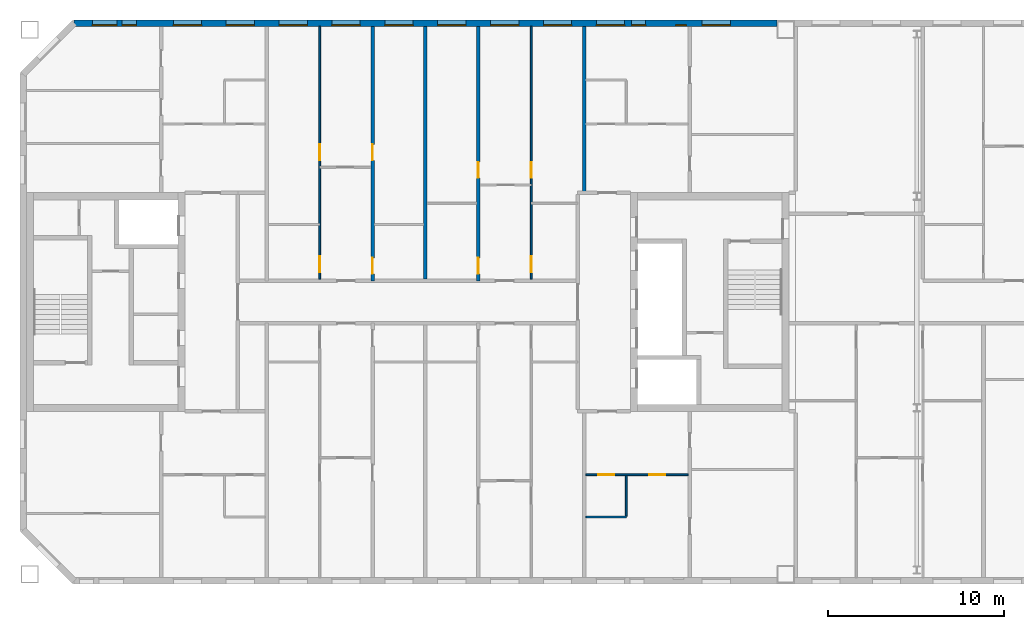
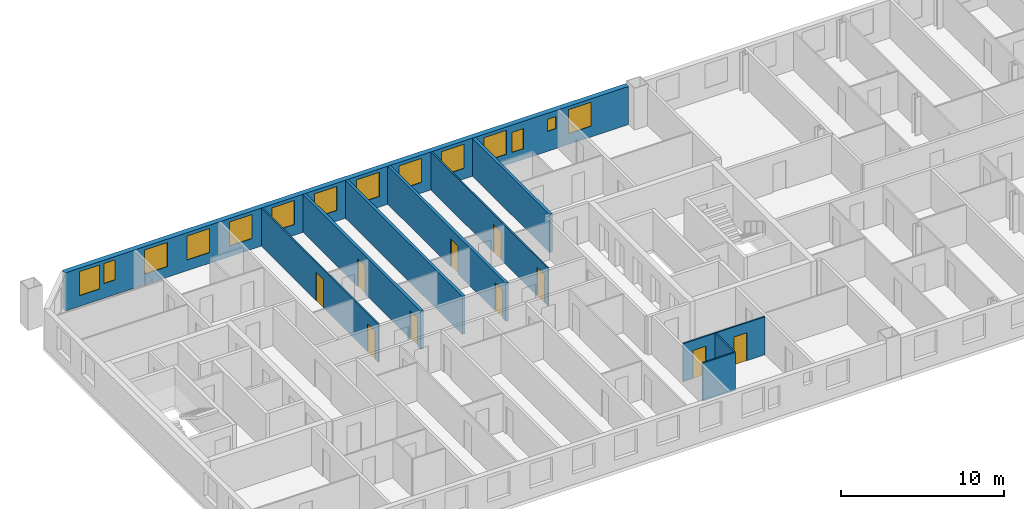
# One storey, part 7 of 19: 14 windows, 10 doors, 10 walls, 24 openings.
"""IFC4 building model written with IfcOpenShell, lengths in metres."""

from ifc_helpers import new_model, si_unit, direction, frame, frame_2d, origin, place, context, subcontext, project, spatial, rectangle, extrude, material, layer, layer_set, type_object, element, fill, save


model = new_model("IFC4")

# Units and contexts
model_context = context("Model", 3, precision=1e-05, world=origin(), true_north=direction((0.0, 1.0)))
body_context = subcontext(model_context, "Body", "Model", "MODEL_VIEW")
ifc_project = project(units=[si_unit("LENGTHUNIT", "METRE"), si_unit("AREAUNIT", "SQUARE_METRE"), si_unit("VOLUMEUNIT", "CUBIC_METRE"), si_unit("PLANEANGLEUNIT", "RADIAN"), si_unit("MASSUNIT", "GRAM", prefix="KILO")], contexts=[model_context])

# Site, building, storey
site_placement = place(None, origin())
site = spatial("IfcSite", under=ifc_project, at=site_placement, CompositionType="ELEMENT")
building_placement = place(site_placement, origin())
building = spatial("IfcBuilding", under=site, at=building_placement, Name="Tuart Gate Housing", CompositionType="ELEMENT")
storey_placement = place(building_placement, frame((0.0, 0.0, 212.10009765625)))
storey = spatial("IfcBuildingStorey", under=building, at=storey_placement, Name="L60", CompositionType="ELEMENT", Elevation=212.10009765625)

# Wall, openings, windows
ifc_material_1 = material(Name="Brick", Category="masonry")
ifc_layer_1 = layer(ifc_material_1, 0.360107421875)
ifc_layer_set_1 = layer_set([ifc_layer_1], Name="Brick pier and spandrel wall 360")
wall_type_1 = type_object("IfcWallType", Name="Brick pier and spandrel wall 360", PredefinedType="STANDARD", material=ifc_layer_set_1)
wall_1_placement = place(storey_placement, frame((74.949951171875, 85.820068359375, 0.0), z_axis=(0.0, 0.0, 1.0), x_axis=(-1.0, 0.0, 0.0)))
wall_1 = element("IfcWall", 1, at=wall_1_placement, inside=storey, type_object=wall_type_1, Name="External wall BLK-N L60", PredefinedType="STANDARD", context=body_context, shape_type="SweptSolid", body=[
    extrude(rectangle(XDim=39.87548828125, YDim=0.360107421875, at=frame_2d((19.937744140625, 0.0))), origin(), (0.0, 0.0, 1.0), 2.849853515625),
])
opening_1_placement = place(wall_1_placement, frame((2.64990234375, 0.0, 0.800048828125)))
opening_1 = element("IfcOpeningElement", 2, at=opening_1_placement, cuts=wall_1, Name="Opening W1", PredefinedType="OPENING", context=body_context, shape_type="SweptSolid", body=[
    extrude(rectangle(XDim=1.60009765625, YDim=1.800048828125, at=frame_2d((0.800048828125, 0.89990234375))), frame((0.0, 0.18994140625, 0.0), z_axis=(0.0, -1.0, 0.0), x_axis=(1.0, 0.0, 0.0)), (0.0, 0.0, 1.0), 0.380126953125),
])
opening_2_placement = place(wall_1_placement, frame((5.14990234375, 0.0, 1.5)))
opening_2 = element("IfcOpeningElement", 3, at=opening_2_placement, cuts=wall_1, Name="Opening W1W", PredefinedType="OPENING", context=body_context, shape_type="SweptSolid", body=[
    extrude(rectangle(XDim=0.60009765625, YDim=0.89990234375, at=frame_2d((0.300048828125, 0.449951171875))), frame((0.0, 0.18994140625, 0.0), z_axis=(0.0, -1.0, 0.0), x_axis=(1.0, 0.0, 0.0)), (0.0, 0.0, 1.0), 0.380126953125),
])
opening_3_placement = place(wall_1_placement, frame((8.64990234375, 0.0, 0.800048828125)))
opening_3 = element("IfcOpeningElement", 4, at=opening_3_placement, cuts=wall_1, Name="Opening W1", PredefinedType="OPENING", context=body_context, shape_type="SweptSolid", body=[
    extrude(rectangle(XDim=1.60009765625, YDim=1.800048828125, at=frame_2d((0.800048828125, 0.89990234375))), frame((0.0, 0.18994140625, 0.0), z_axis=(0.0, -1.0, 0.0), x_axis=(1.0, 0.0, 0.0)), (0.0, 0.0, 1.0), 0.380126953125),
])
opening_4_placement = place(wall_1_placement, frame((11.64990234375, 0.0, 0.800048828125)))
opening_4 = element("IfcOpeningElement", 5, at=opening_4_placement, cuts=wall_1, Name="Opening W1", PredefinedType="OPENING", context=body_context, shape_type="SweptSolid", body=[
    extrude(rectangle(XDim=1.60009765625, YDim=1.800048828125, at=frame_2d((0.800048828125, 0.89990234375))), frame((0.0, 0.18994140625, 0.0), z_axis=(0.0, -1.0, 0.0), x_axis=(1.0, 0.0, 0.0)), (0.0, 0.0, 1.0), 0.380126953125),
])
opening_5_placement = place(wall_1_placement, frame((14.64990234375, 0.0, 0.800048828125)))
opening_5 = element("IfcOpeningElement", 6, at=opening_5_placement, cuts=wall_1, Name="Opening W1", PredefinedType="OPENING", context=body_context, shape_type="SweptSolid", body=[
    extrude(rectangle(XDim=1.60009765625, YDim=1.800048828125, at=frame_2d((0.800048828125, 0.89990234375))), frame((0.0, 0.18994140625, 0.0), z_axis=(0.0, -1.0, 0.0), x_axis=(1.0, 0.0, 0.0)), (0.0, 0.0, 1.0), 0.380126953125),
])
opening_6_placement = place(wall_1_placement, frame((17.64990234375, 0.0, 0.800048828125)))
opening_6 = element("IfcOpeningElement", 7, at=opening_6_placement, cuts=wall_1, Name="Opening W1", PredefinedType="OPENING", context=body_context, shape_type="SweptSolid", body=[
    extrude(rectangle(XDim=1.60009765625, YDim=1.800048828125, at=frame_2d((0.800048828125, 0.89990234375))), frame((0.0, 0.18994140625, 0.0), z_axis=(0.0, -1.0, 0.0), x_axis=(1.0, 0.0, 0.0)), (0.0, 0.0, 1.0), 0.380126953125),
])
opening_7_placement = place(wall_1_placement, frame((20.64990234375, 0.0, 0.800048828125)))
opening_7 = element("IfcOpeningElement", 8, at=opening_7_placement, cuts=wall_1, Name="Opening W1", PredefinedType="OPENING", context=body_context, shape_type="SweptSolid", body=[
    extrude(rectangle(XDim=1.60009765625, YDim=1.800048828125, at=frame_2d((0.800048828125, 0.89990234375))), frame((0.0, 0.18994140625, 0.0), z_axis=(0.0, -1.0, 0.0), x_axis=(1.0, 0.0, 0.0)), (0.0, 0.0, 1.0), 0.380126953125),
])
opening_8_placement = place(wall_1_placement, frame((23.64990234375, 0.0, 0.800048828125)))
opening_8 = element("IfcOpeningElement", 9, at=opening_8_placement, cuts=wall_1, Name="Opening W1", PredefinedType="OPENING", context=body_context, shape_type="SweptSolid", body=[
    extrude(rectangle(XDim=1.60009765625, YDim=1.800048828125, at=frame_2d((0.800048828125, 0.89990234375))), frame((0.0, 0.18994140625, 0.0), z_axis=(0.0, -1.0, 0.0), x_axis=(1.0, 0.0, 0.0)), (0.0, 0.0, 1.0), 0.380126953125),
])
opening_9_placement = place(wall_1_placement, frame((26.64990234375, 0.0, 0.800048828125)))
opening_9 = element("IfcOpeningElement", 10, at=opening_9_placement, cuts=wall_1, Name="Opening W1", PredefinedType="OPENING", context=body_context, shape_type="SweptSolid", body=[
    extrude(rectangle(XDim=1.60009765625, YDim=1.800048828125, at=frame_2d((0.800048828125, 0.89990234375))), frame((0.0, 0.18994140625, 0.0), z_axis=(0.0, -1.0, 0.0), x_axis=(1.0, 0.0, 0.0)), (0.0, 0.0, 1.0), 0.380126953125),
])
opening_10_placement = place(wall_1_placement, frame((29.64990234375, 0.0, 0.800048828125)))
opening_10 = element("IfcOpeningElement", 11, at=opening_10_placement, cuts=wall_1, Name="Opening W1", PredefinedType="OPENING", context=body_context, shape_type="SweptSolid", body=[
    extrude(rectangle(XDim=1.60009765625, YDim=1.800048828125, at=frame_2d((0.800048828125, 0.89990234375))), frame((0.0, 0.18994140625, 0.0), z_axis=(0.0, -1.0, 0.0), x_axis=(1.0, 0.0, 0.0)), (0.0, 0.0, 1.0), 0.380126953125),
])
opening_11_placement = place(wall_1_placement, frame((32.64990234375, 0.0, 0.800048828125)))
opening_11 = element("IfcOpeningElement", 12, at=opening_11_placement, cuts=wall_1, Name="Opening W1", PredefinedType="OPENING", context=body_context, shape_type="SweptSolid", body=[
    extrude(rectangle(XDim=1.60009765625, YDim=1.800048828125, at=frame_2d((0.800048828125, 0.89990234375))), frame((0.0, 0.18994140625, 0.0), z_axis=(0.0, -1.0, 0.0), x_axis=(1.0, 0.0, 0.0)), (0.0, 0.0, 1.0), 0.380126953125),
])
opening_12_placement = place(wall_1_placement, frame((36.35009765625, 0.0, 1.10009765625)))
opening_12 = element("IfcOpeningElement", 13, at=opening_12_placement, cuts=wall_1, Name="Opening W1J", PredefinedType="OPENING", context=body_context, shape_type="SweptSolid", body=[
    extrude(rectangle(XDim=0.800048828125, YDim=1.5, at=frame_2d((0.39990234375, 0.75))), frame((0.0, 0.18994140625, 0.0), z_axis=(0.0, -1.0, 0.0), x_axis=(1.0, 0.0, 0.0)), (0.0, 0.0, 1.0), 0.380126953125),
])
opening_13_placement = place(wall_1_placement, frame((7.449951171875, 0.0, 0.800048828125)))
opening_13 = element("IfcOpeningElement", 14, at=opening_13_placement, cuts=wall_1, Name="Opening W1J", PredefinedType="OPENING", context=body_context, shape_type="SweptSolid", body=[
    extrude(rectangle(XDim=0.800048828125, YDim=1.5, at=frame_2d((0.39990234375, 0.75))), frame((0.0, 0.18994140625, 0.0), z_axis=(0.0, -1.0, 0.0), x_axis=(1.0, 0.0, 0.0)), (0.0, 0.0, 1.0), 0.380126953125),
])
opening_14_placement = place(wall_1_placement, frame((37.449951171875, 0.0, 0.800048828125)))
opening_14 = element("IfcOpeningElement", 15, at=opening_14_placement, cuts=wall_1, Name="Opening W1A", PredefinedType="OPENING", context=body_context, shape_type="SweptSolid", body=[
    extrude(rectangle(XDim=1.39990234375, YDim=1.800048828125, at=frame_2d((0.699951171875, 0.89990234375))), frame((0.0, 0.18994140625, 0.0), z_axis=(0.0, -1.0, 0.0), x_axis=(1.0, 0.0, 0.0)), (0.0, 0.0, 1.0), 0.380126953125),
])
ifc_material_2 = material(Name="Aluminium frame with clear glass", Category="aluminium")
window_type_1 = type_object("IfcWindowType", Name="Punched window 1400 x 1800", PartitioningType="SINGLE_PANEL", PredefinedType="WINDOW", material=ifc_material_2)
window_1_placement = place(opening_14_placement, origin())
window_1 = element("IfcWindow", 16, at=window_1_placement, inside=storey, type_object=window_type_1, Name="Window W1A", OverallHeight=1.800048828125, OverallWidth=1.39990234375, PartitioningType="SINGLE_PANEL", PredefinedType="WINDOW", context=body_context, shape_type="SweptSolid", body=[
    extrude(rectangle(XDim=1.39990234375, YDim=1.800048828125, at=frame_2d((0.699951171875, 0.89990234375))), frame((0.0, 0.150146484375, 0.0), z_axis=(0.0, -1.0, 0.0), x_axis=(1.0, 0.0, 0.0)), (0.0, 0.0, 1.0), 0.06005859375),
])
fill(opening_14, window_1)
ifc_material_3 = material(Name="Aluminium frame with clear glass", Category="aluminium")
window_type_2 = type_object("IfcWindowType", Name="Punched window 1600 x 1800", PartitioningType="SINGLE_PANEL", PredefinedType="WINDOW", material=ifc_material_3)
window_2_placement = place(opening_1_placement, origin())
window_2 = element("IfcWindow", 17, at=window_2_placement, inside=storey, type_object=window_type_2, Name="Window W1", OverallHeight=1.800048828125, OverallWidth=1.60009765625, PartitioningType="SINGLE_PANEL", PredefinedType="WINDOW", context=body_context, shape_type="SweptSolid", body=[
    extrude(rectangle(XDim=1.60009765625, YDim=1.800048828125, at=frame_2d((0.800048828125, 0.89990234375))), frame((0.0, 0.150146484375, 0.0), z_axis=(0.0, -1.0, 0.0), x_axis=(1.0, 0.0, 0.0)), (0.0, 0.0, 1.0), 0.06005859375),
])
fill(opening_1, window_2)
window_3_placement = place(opening_3_placement, origin())
window_3 = element("IfcWindow", 18, at=window_3_placement, inside=storey, type_object=window_type_2, Name="Window W1", OverallHeight=1.800048828125, OverallWidth=1.60009765625, PartitioningType="SINGLE_PANEL", PredefinedType="WINDOW", context=body_context, shape_type="SweptSolid", body=[
    extrude(rectangle(XDim=1.60009765625, YDim=1.800048828125, at=frame_2d((0.800048828125, 0.89990234375))), frame((0.0, 0.150146484375, 0.0), z_axis=(0.0, -1.0, 0.0), x_axis=(1.0, 0.0, 0.0)), (0.0, 0.0, 1.0), 0.06005859375),
])
fill(opening_3, window_3)
window_4_placement = place(opening_4_placement, origin())
window_4 = element("IfcWindow", 19, at=window_4_placement, inside=storey, type_object=window_type_2, Name="Window W1", OverallHeight=1.800048828125, OverallWidth=1.60009765625, PartitioningType="SINGLE_PANEL", PredefinedType="WINDOW", context=body_context, shape_type="SweptSolid", body=[
    extrude(rectangle(XDim=1.60009765625, YDim=1.800048828125, at=frame_2d((0.800048828125, 0.89990234375))), frame((0.0, 0.150146484375, 0.0), z_axis=(0.0, -1.0, 0.0), x_axis=(1.0, 0.0, 0.0)), (0.0, 0.0, 1.0), 0.06005859375),
])
fill(opening_4, window_4)
window_5_placement = place(opening_5_placement, origin())
window_5 = element("IfcWindow", 20, at=window_5_placement, inside=storey, type_object=window_type_2, Name="Window W1", OverallHeight=1.800048828125, OverallWidth=1.60009765625, PartitioningType="SINGLE_PANEL", PredefinedType="WINDOW", context=body_context, shape_type="SweptSolid", body=[
    extrude(rectangle(XDim=1.60009765625, YDim=1.800048828125, at=frame_2d((0.800048828125, 0.89990234375))), frame((0.0, 0.150146484375, 0.0), z_axis=(0.0, -1.0, 0.0), x_axis=(1.0, 0.0, 0.0)), (0.0, 0.0, 1.0), 0.06005859375),
])
fill(opening_5, window_5)
window_6_placement = place(opening_6_placement, origin())
window_6 = element("IfcWindow", 21, at=window_6_placement, inside=storey, type_object=window_type_2, Name="Window W1", OverallHeight=1.800048828125, OverallWidth=1.60009765625, PartitioningType="SINGLE_PANEL", PredefinedType="WINDOW", context=body_context, shape_type="SweptSolid", body=[
    extrude(rectangle(XDim=1.60009765625, YDim=1.800048828125, at=frame_2d((0.800048828125, 0.89990234375))), frame((0.0, 0.150146484375, 0.0), z_axis=(0.0, -1.0, 0.0), x_axis=(1.0, 0.0, 0.0)), (0.0, 0.0, 1.0), 0.06005859375),
])
fill(opening_6, window_6)
window_7_placement = place(opening_7_placement, origin())
window_7 = element("IfcWindow", 22, at=window_7_placement, inside=storey, type_object=window_type_2, Name="Window W1", OverallHeight=1.800048828125, OverallWidth=1.60009765625, PartitioningType="SINGLE_PANEL", PredefinedType="WINDOW", context=body_context, shape_type="SweptSolid", body=[
    extrude(rectangle(XDim=1.60009765625, YDim=1.800048828125, at=frame_2d((0.800048828125, 0.89990234375))), frame((0.0, 0.150146484375, 0.0), z_axis=(0.0, -1.0, 0.0), x_axis=(1.0, 0.0, 0.0)), (0.0, 0.0, 1.0), 0.06005859375),
])
fill(opening_7, window_7)
window_8_placement = place(opening_8_placement, origin())
window_8 = element("IfcWindow", 23, at=window_8_placement, inside=storey, type_object=window_type_2, Name="Window W1", OverallHeight=1.800048828125, OverallWidth=1.60009765625, PartitioningType="SINGLE_PANEL", PredefinedType="WINDOW", context=body_context, shape_type="SweptSolid", body=[
    extrude(rectangle(XDim=1.60009765625, YDim=1.800048828125, at=frame_2d((0.800048828125, 0.89990234375))), frame((0.0, 0.150146484375, 0.0), z_axis=(0.0, -1.0, 0.0), x_axis=(1.0, 0.0, 0.0)), (0.0, 0.0, 1.0), 0.06005859375),
])
fill(opening_8, window_8)
window_9_placement = place(opening_9_placement, origin())
window_9 = element("IfcWindow", 24, at=window_9_placement, inside=storey, type_object=window_type_2, Name="Window W1", OverallHeight=1.800048828125, OverallWidth=1.60009765625, PartitioningType="SINGLE_PANEL", PredefinedType="WINDOW", context=body_context, shape_type="SweptSolid", body=[
    extrude(rectangle(XDim=1.60009765625, YDim=1.800048828125, at=frame_2d((0.800048828125, 0.89990234375))), frame((0.0, 0.150146484375, 0.0), z_axis=(0.0, -1.0, 0.0), x_axis=(1.0, 0.0, 0.0)), (0.0, 0.0, 1.0), 0.06005859375),
])
fill(opening_9, window_9)
window_10_placement = place(opening_10_placement, origin())
window_10 = element("IfcWindow", 25, at=window_10_placement, inside=storey, type_object=window_type_2, Name="Window W1", OverallHeight=1.800048828125, OverallWidth=1.60009765625, PartitioningType="SINGLE_PANEL", PredefinedType="WINDOW", context=body_context, shape_type="SweptSolid", body=[
    extrude(rectangle(XDim=1.60009765625, YDim=1.800048828125, at=frame_2d((0.800048828125, 0.89990234375))), frame((0.0, 0.150146484375, 0.0), z_axis=(0.0, -1.0, 0.0), x_axis=(1.0, 0.0, 0.0)), (0.0, 0.0, 1.0), 0.06005859375),
])
fill(opening_10, window_10)
window_11_placement = place(opening_11_placement, origin())
window_11 = element("IfcWindow", 26, at=window_11_placement, inside=storey, type_object=window_type_2, Name="Window W1", OverallHeight=1.800048828125, OverallWidth=1.60009765625, PartitioningType="SINGLE_PANEL", PredefinedType="WINDOW", context=body_context, shape_type="SweptSolid", body=[
    extrude(rectangle(XDim=1.60009765625, YDim=1.800048828125, at=frame_2d((0.800048828125, 0.89990234375))), frame((0.0, 0.150146484375, 0.0), z_axis=(0.0, -1.0, 0.0), x_axis=(1.0, 0.0, 0.0)), (0.0, 0.0, 1.0), 0.06005859375),
])
fill(opening_11, window_11)
ifc_material_4 = material(Name="Aluminium frame with clear glass", Category="aluminium")
window_type_3 = type_object("IfcWindowType", Name="Punched window 600 x 900", PartitioningType="SINGLE_PANEL", PredefinedType="WINDOW", material=ifc_material_4)
window_12_placement = place(opening_2_placement, origin())
window_12 = element("IfcWindow", 27, at=window_12_placement, inside=storey, type_object=window_type_3, Name="Window W1W", OverallHeight=0.89990234375, OverallWidth=0.60009765625, PartitioningType="SINGLE_PANEL", PredefinedType="WINDOW", context=body_context, shape_type="SweptSolid", body=[
    extrude(rectangle(XDim=0.60009765625, YDim=0.89990234375, at=frame_2d((0.300048828125, 0.449951171875))), frame((0.0, 0.150146484375, 0.0), z_axis=(0.0, -1.0, 0.0), x_axis=(1.0, 0.0, 0.0)), (0.0, 0.0, 1.0), 0.06005859375),
])
fill(opening_2, window_12)
ifc_material_5 = material(Name="Aluminium frame with clear glass", Category="aluminium")
window_type_4 = type_object("IfcWindowType", Name="Punched window 800 x 1500", PartitioningType="SINGLE_PANEL", PredefinedType="WINDOW", material=ifc_material_5)
window_13_placement = place(opening_12_placement, origin())
window_13 = element("IfcWindow", 28, at=window_13_placement, inside=storey, type_object=window_type_4, Name="Window W1J", OverallHeight=1.5, OverallWidth=0.800048828125, PartitioningType="SINGLE_PANEL", PredefinedType="WINDOW", context=body_context, shape_type="SweptSolid", body=[
    extrude(rectangle(XDim=0.800048828125, YDim=1.5, at=frame_2d((0.39990234375, 0.75))), frame((0.0, 0.150146484375, 0.0), z_axis=(0.0, -1.0, 0.0), x_axis=(1.0, 0.0, 0.0)), (0.0, 0.0, 1.0), 0.06005859375),
])
fill(opening_12, window_13)
window_14_placement = place(opening_13_placement, origin())
window_14 = element("IfcWindow", 29, at=window_14_placement, inside=storey, type_object=window_type_4, Name="Window W1J", OverallHeight=1.5, OverallWidth=0.800048828125, PartitioningType="SINGLE_PANEL", PredefinedType="WINDOW", context=body_context, shape_type="SweptSolid", body=[
    extrude(rectangle(XDim=0.800048828125, YDim=1.5, at=frame_2d((0.39990234375, 0.75))), frame((0.0, 0.150146484375, 0.0), z_axis=(0.0, -1.0, 0.0), x_axis=(1.0, 0.0, 0.0)), (0.0, 0.0, 1.0), 0.06005859375),
])
fill(opening_13, window_14)

# Wall
ifc_material_6 = material(Name="Gypsum board on steel studs", Category="steel")
ifc_layer_2 = layer(ifc_material_6, 0.10009765625)
ifc_layer_set_2 = layer_set([ifc_layer_2], Name="Partition 100")
wall_type_2 = type_object("IfcWallType", Name="Partition 100", PredefinedType="PARTITIONING", material=ifc_layer_set_2)
wall_2_placement = place(storey_placement, frame((64.10009765625, 57.800048828125, 0.0), z_axis=(0.0, 0.0, 1.0), x_axis=(1.0, 0.0, 0.0)))
element("IfcWall", 30, at=wall_2_placement, inside=storey, type_object=wall_type_2, Name="Partition 100", PredefinedType="PARTITIONING", context=body_context, shape_type="SweptSolid", body=[
    extrude(rectangle(XDim=2.2998046875, YDim=0.10009765625, at=frame_2d((1.14990234375, 0.0))), origin(), (0.0, 0.0, 1.0), 2.849853515625),
])

# Wall, openings, doors
wall_3_placement = place(storey_placement, frame((64.10009765625, 60.199951171875, 0.0), z_axis=(0.0, 0.0, 1.0), x_axis=(1.0, 0.0, 0.0)))
wall_3 = element("IfcWall", 31, at=wall_3_placement, inside=storey, type_object=wall_type_2, Name="Partition 100", PredefinedType="PARTITIONING", context=body_context, shape_type="SweptSolid", body=[
    extrude(rectangle(XDim=5.7998046875, YDim=0.10009765625, at=frame_2d((2.89990234375, 0.0))), origin(), (0.0, 0.0, 1.0), 2.849853515625),
])
opening_15_placement = place(wall_3_placement, frame((3.60009765625, 0.0, 0.0)))
opening_15 = element("IfcOpeningElement", 32, at=opening_15_placement, cuts=wall_3, Name="Opening D2160", PredefinedType="OPENING", context=body_context, shape_type="SweptSolid", body=[
    extrude(rectangle(XDim=0.89990234375, YDim=2.10009765625, at=frame_2d((0.449951171875, 1.050048828125))), frame((0.0, 0.06005859375, 0.0), z_axis=(0.0, -1.0, 0.0), x_axis=(1.0, 0.0, 0.0)), (0.0, 0.0, 1.0), 0.1201171875),
])
opening_16_placement = place(wall_3_placement, frame((0.699951171875, 0.0, 0.0)))
opening_16 = element("IfcOpeningElement", 33, at=opening_16_placement, cuts=wall_3, Name="Opening D2159", PredefinedType="OPENING", context=body_context, shape_type="SweptSolid", body=[
    extrude(rectangle(XDim=0.89990234375, YDim=2.10009765625, at=frame_2d((0.449951171875, 1.050048828125))), frame((0.0, 0.06005859375, 0.0), z_axis=(0.0, -1.0, 0.0), x_axis=(1.0, 0.0, 0.0)), (0.0, 0.0, 1.0), 0.1201171875),
])
ifc_material_7 = material(Name="Timber door leaf in steel frame", Category="steel")
door_type_1 = type_object("IfcDoorType", Name="Bathroom door 900", OperationType="SINGLE_SWING_LEFT", PredefinedType="DOOR", material=ifc_material_7)
door_1_placement = place(opening_16_placement, frame((0.89990234375, 0.0, 0.0), z_axis=(0.0, 0.0, 1.0), x_axis=(-1.0, 0.0, 0.0)))
door_1 = element("IfcDoor", 34, at=door_1_placement, inside=storey, type_object=door_type_1, Name="Bathroom door", OperationType="SINGLE_SWING_LEFT", OverallHeight=2.10009765625, OverallWidth=0.89990234375, PredefinedType="DOOR", context=body_context, shape_type="SweptSolid", body=[
    extrude(rectangle(XDim=0.89990234375, YDim=2.10009765625, at=frame_2d((0.449951171875, 1.050048828125))), frame((0.0, 0.025146484375, 0.0), z_axis=(0.0, -1.0, 0.0), x_axis=(1.0, 0.0, 0.0)), (0.0, 0.0, 1.0), 0.050048828125),
])
fill(opening_16, door_1)
ifc_material_8 = material(Name="Timber door leaf in steel frame", Category="steel")
door_type_2 = type_object("IfcDoorType", Name="Internal door 900 RH", OperationType="SINGLE_SWING_RIGHT", PredefinedType="DOOR", material=ifc_material_8)
door_2_placement = place(opening_15_placement, origin())
door_2 = element("IfcDoor", 35, at=door_2_placement, inside=storey, type_object=door_type_2, Name="Internal door", OperationType="SINGLE_SWING_RIGHT", OverallHeight=2.10009765625, OverallWidth=0.89990234375, PredefinedType="DOOR", context=body_context, shape_type="SweptSolid", body=[
    extrude(rectangle(XDim=0.89990234375, YDim=2.10009765625, at=frame_2d((0.449951171875, 1.050048828125))), frame((0.0, 0.02490234375, 0.0), z_axis=(0.0, -1.0, 0.0), x_axis=(1.0, 0.0, 0.0)), (0.0, 0.0, 1.0), 0.050048828125),
])
fill(opening_15, door_2)

wall_4_placement = place(storey_placement, frame((49.0, 71.300048828125, 0.0), z_axis=(0.0, 0.0, 1.0), x_axis=(0.0, 1.0, 0.0)))
wall_4 = element("IfcWall", 36, at=wall_4_placement, inside=storey, type_object=wall_type_2, Name="Partition 100", PredefinedType="PARTITIONING", context=body_context, shape_type="SweptSolid", body=[
    extrude(rectangle(XDim=14.33984375, YDim=0.10009765625, at=frame_2d((7.169921875, 0.0))), origin(), (0.0, 0.0, 1.0), 2.849853515625),
])
opening_17_placement = place(wall_4_placement, frame((6.739990234375, 0.0, 0.0)))
opening_17 = element("IfcOpeningElement", 37, at=opening_17_placement, cuts=wall_4, Name="Opening D2119", PredefinedType="OPENING", context=body_context, shape_type="SweptSolid", body=[
    extrude(rectangle(XDim=0.89990234375, YDim=2.10009765625, at=frame_2d((0.449951171875, 1.050048828125))), frame((0.0, 0.06005859375, 0.0), z_axis=(0.0, -1.0, 0.0), x_axis=(1.0, 0.0, 0.0)), (0.0, 0.0, 1.0), 0.1201171875),
])
opening_18_placement = place(wall_4_placement, frame((0.39990234375, 0.0, 0.0)))
opening_18 = element("IfcOpeningElement", 38, at=opening_18_placement, cuts=wall_4, Name="Opening D2118", PredefinedType="OPENING", context=body_context, shape_type="SweptSolid", body=[
    extrude(rectangle(XDim=0.89990234375, YDim=2.10009765625, at=frame_2d((0.449951171875, 1.050048828125))), frame((0.0, 0.06005859375, 0.0), z_axis=(0.0, -1.0, 0.0), x_axis=(1.0, 0.0, 0.0)), (0.0, 0.0, 1.0), 0.1201171875),
])
door_3_placement = place(opening_18_placement, origin())
door_3 = element("IfcDoor", 39, at=door_3_placement, inside=storey, type_object=door_type_1, Name="Bathroom door", OperationType="SINGLE_SWING_LEFT", OverallHeight=2.10009765625, OverallWidth=0.89990234375, PredefinedType="DOOR", context=body_context, shape_type="SweptSolid", body=[
    extrude(rectangle(XDim=0.89990234375, YDim=2.10009765625, at=frame_2d((0.449951171875, 1.050048828125))), frame((0.0, 0.02490234375, 0.0), z_axis=(0.0, -1.0, 0.0), x_axis=(1.0, 0.0, 0.0)), (0.0, 0.0, 1.0), 0.050048828125),
])
fill(opening_18, door_3)
ifc_material_9 = material(Name="Timber door leaf in steel frame", Category="steel")
door_type_3 = type_object("IfcDoorType", Name="Internal door 900", OperationType="SINGLE_SWING_LEFT", PredefinedType="DOOR", material=ifc_material_9)
door_4_placement = place(opening_17_placement, origin())
door_4 = element("IfcDoor", 40, at=door_4_placement, inside=storey, type_object=door_type_3, Name="Internal door", OperationType="SINGLE_SWING_LEFT", OverallHeight=2.10009765625, OverallWidth=0.89990234375, PredefinedType="DOOR", context=body_context, shape_type="SweptSolid", body=[
    extrude(rectangle(XDim=0.89990234375, YDim=2.10009765625, at=frame_2d((0.449951171875, 1.050048828125))), frame((0.0, 0.02490234375, 0.0), z_axis=(0.0, -1.0, 0.0), x_axis=(1.0, 0.0, 0.0)), (0.0, 0.0, 1.0), 0.050048828125),
])
fill(opening_17, door_4)

wall_5_placement = place(storey_placement, frame((61.0, 71.300048828125, 0.0), z_axis=(0.0, 0.0, 1.0), x_axis=(0.0, 1.0, 0.0)))
wall_5 = element("IfcWall", 41, at=wall_5_placement, inside=storey, type_object=wall_type_2, Name="Partition 100", PredefinedType="PARTITIONING", context=body_context, shape_type="SweptSolid", body=[
    extrude(rectangle(XDim=14.33984375, YDim=0.10009765625, at=frame_2d((7.169921875, 0.0))), origin(), (0.0, 0.0, 1.0), 2.849853515625),
])
opening_19_placement = place(wall_5_placement, frame((5.739990234375, 0.0, 0.0)))
opening_19 = element("IfcOpeningElement", 42, at=opening_19_placement, cuts=wall_5, Name="Opening D2121", PredefinedType="OPENING", context=body_context, shape_type="SweptSolid", body=[
    extrude(rectangle(XDim=0.89990234375, YDim=2.10009765625, at=frame_2d((0.449951171875, 1.050048828125))), frame((0.0, 0.06005859375, 0.0), z_axis=(0.0, -1.0, 0.0), x_axis=(1.0, 0.0, 0.0)), (0.0, 0.0, 1.0), 0.1201171875),
])
opening_20_placement = place(wall_5_placement, frame((0.39990234375, 0.0, 0.0)))
opening_20 = element("IfcOpeningElement", 43, at=opening_20_placement, cuts=wall_5, Name="Opening D2120", PredefinedType="OPENING", context=body_context, shape_type="SweptSolid", body=[
    extrude(rectangle(XDim=0.89990234375, YDim=2.10009765625, at=frame_2d((0.449951171875, 1.050048828125))), frame((0.0, 0.06005859375, 0.0), z_axis=(0.0, -1.0, 0.0), x_axis=(1.0, 0.0, 0.0)), (0.0, 0.0, 1.0), 0.1201171875),
])
ifc_material_10 = material(Name="Timber door leaf in steel frame", Category="steel")
door_type_4 = type_object("IfcDoorType", Name="Bathroom door 900 RH", OperationType="SINGLE_SWING_RIGHT", PredefinedType="DOOR", material=ifc_material_10)
door_5_placement = place(opening_20_placement, frame((0.89990234375, 0.0, 0.0), z_axis=(0.0, 0.0, 1.0), x_axis=(-1.0, 0.0, 0.0)))
door_5 = element("IfcDoor", 44, at=door_5_placement, inside=storey, type_object=door_type_4, Name="Bathroom door", OperationType="SINGLE_SWING_RIGHT", OverallHeight=2.10009765625, OverallWidth=0.89990234375, PredefinedType="DOOR", context=body_context, shape_type="SweptSolid", body=[
    extrude(rectangle(XDim=0.89990234375, YDim=2.10009765625, at=frame_2d((0.449951171875, 1.050048828125))), frame((0.0, 0.025146484375, 0.0), z_axis=(0.0, -1.0, 0.0), x_axis=(1.0, 0.0, 0.0)), (0.0, 0.0, 1.0), 0.050048828125),
])
fill(opening_20, door_5)
door_6_placement = place(opening_19_placement, frame((0.89990234375, 0.0, 0.0), z_axis=(0.0, 0.0, 1.0), x_axis=(-1.0, 0.0, 0.0)))
door_6 = element("IfcDoor", 45, at=door_6_placement, inside=storey, type_object=door_type_2, Name="Internal door", OperationType="SINGLE_SWING_RIGHT", OverallHeight=2.10009765625, OverallWidth=0.89990234375, PredefinedType="DOOR", context=body_context, shape_type="SweptSolid", body=[
    extrude(rectangle(XDim=0.89990234375, YDim=2.10009765625, at=frame_2d((0.449951171875, 1.050048828125))), frame((0.0, 0.025146484375, 0.0), z_axis=(0.0, -1.0, 0.0), x_axis=(1.0, 0.0, 0.0)), (0.0, 0.0, 1.0), 0.050048828125),
])
fill(opening_19, door_6)

# Wall
wall_6_placement = place(storey_placement, frame((66.39990234375, 57.85009765625, 0.0), z_axis=(0.0, 0.0, 1.0), x_axis=(0.0, 1.0, 0.0)))
element("IfcWall", 46, at=wall_6_placement, inside=storey, type_object=wall_type_2, Name="Partition 100", PredefinedType="PARTITIONING", context=body_context, shape_type="SweptSolid", body=[
    extrude(rectangle(XDim=2.2998046875, YDim=0.10009765625, at=frame_2d((1.14990234375, 0.0))), origin(), (0.0, 0.0, 1.0), 2.849853515625),
])

# Wall, openings, doors
ifc_material_11 = material(Name="Concrete C40", Category="concrete")
ifc_layer_3 = layer(ifc_material_11, 0.199951171875)
ifc_layer_set_3 = layer_set([ifc_layer_3], Name="Party wall concrete C40 200")
wall_type_3 = type_object("IfcWallType", Name="Party wall concrete C40 200", PredefinedType="SOLIDWALL", material=ifc_layer_set_3)
wall_7_placement = place(storey_placement, frame((52.0, 71.199951171875, 0.0), z_axis=(0.0, 0.0, 1.0), x_axis=(0.0, 1.0, 0.0)))
wall_7 = element("IfcWall", 47, at=wall_7_placement, inside=storey, type_object=wall_type_3, Name="Party wall concrete C40 200", PredefinedType="SOLIDWALL", context=body_context, shape_type="SweptSolid", body=[
    extrude(rectangle(XDim=14.43994140625, YDim=0.199951171875, at=frame_2d((7.219970703125, 0.0))), origin(), (0.0, 0.0, 1.0), 2.849853515625),
])
opening_21_placement = place(wall_7_placement, frame((6.840087890625, 0.0, 0.0)))
opening_21 = element("IfcOpeningElement", 48, at=opening_21_placement, cuts=wall_7, Name="Opening D2123", PredefinedType="OPENING", context=body_context, shape_type="SweptSolid", body=[
    extrude(rectangle(XDim=0.89990234375, YDim=2.10009765625, at=frame_2d((0.449951171875, 1.050048828125))), frame((0.0, 0.10986328125, 0.0), z_axis=(0.0, -1.0, 0.0), x_axis=(1.0, 0.0, 0.0)), (0.0, 0.0, 1.0), 0.219970703125),
])
opening_22_placement = place(wall_7_placement, frame((0.39990234375, 0.0, 0.0)))
opening_22 = element("IfcOpeningElement", 49, at=opening_22_placement, cuts=wall_7, Name="Opening D2122", PredefinedType="OPENING", context=body_context, shape_type="SweptSolid", body=[
    extrude(rectangle(XDim=0.89990234375, YDim=2.10009765625, at=frame_2d((0.449951171875, 1.050048828125))), frame((0.0, 0.10986328125, 0.0), z_axis=(0.0, -1.0, 0.0), x_axis=(1.0, 0.0, 0.0)), (0.0, 0.0, 1.0), 0.219970703125),
])
door_7_placement = place(opening_22_placement, frame((0.89990234375, 0.0, 0.0), z_axis=(0.0, 0.0, 1.0), x_axis=(-1.0, 0.0, 0.0)))
door_7 = element("IfcDoor", 50, at=door_7_placement, inside=storey, type_object=door_type_4, Name="Bathroom door", OperationType="SINGLE_SWING_RIGHT", OverallHeight=2.10009765625, OverallWidth=0.89990234375, PredefinedType="DOOR", context=body_context, shape_type="SweptSolid", body=[
    extrude(rectangle(XDim=0.89990234375, YDim=2.10009765625, at=frame_2d((0.449951171875, 1.050048828125))), frame((0.0, 0.025146484375, 0.0), z_axis=(0.0, -1.0, 0.0), x_axis=(1.0, 0.0, 0.0)), (0.0, 0.0, 1.0), 0.050048828125),
])
fill(opening_22, door_7)
door_8_placement = place(opening_21_placement, frame((0.89990234375, 0.0, 0.0), z_axis=(0.0, 0.0, 1.0), x_axis=(-1.0, 0.0, 0.0)))
door_8 = element("IfcDoor", 51, at=door_8_placement, inside=storey, type_object=door_type_2, Name="Internal door", OperationType="SINGLE_SWING_RIGHT", OverallHeight=2.10009765625, OverallWidth=0.89990234375, PredefinedType="DOOR", context=body_context, shape_type="SweptSolid", body=[
    extrude(rectangle(XDim=0.89990234375, YDim=2.10009765625, at=frame_2d((0.449951171875, 1.050048828125))), frame((0.0, 0.025146484375, 0.0), z_axis=(0.0, -1.0, 0.0), x_axis=(1.0, 0.0, 0.0)), (0.0, 0.0, 1.0), 0.050048828125),
])
fill(opening_21, door_8)

wall_8_placement = place(storey_placement, frame((58.0, 71.199951171875, 0.0), z_axis=(0.0, 0.0, 1.0), x_axis=(0.0, 1.0, 0.0)))
wall_8 = element("IfcWall", 52, at=wall_8_placement, inside=storey, type_object=wall_type_3, Name="Party wall concrete C40 200", PredefinedType="SOLIDWALL", context=body_context, shape_type="SweptSolid", body=[
    extrude(rectangle(XDim=14.43994140625, YDim=0.199951171875, at=frame_2d((7.219970703125, 0.0))), origin(), (0.0, 0.0, 1.0), 2.849853515625),
])
opening_23_placement = place(wall_8_placement, frame((5.840087890625, 0.0, 0.0)))
opening_23 = element("IfcOpeningElement", 53, at=opening_23_placement, cuts=wall_8, Name="Opening D2125", PredefinedType="OPENING", context=body_context, shape_type="SweptSolid", body=[
    extrude(rectangle(XDim=0.89990234375, YDim=2.10009765625, at=frame_2d((0.449951171875, 1.050048828125))), frame((0.0, 0.10986328125, 0.0), z_axis=(0.0, -1.0, 0.0), x_axis=(1.0, 0.0, 0.0)), (0.0, 0.0, 1.0), 0.219970703125),
])
opening_24_placement = place(wall_8_placement, frame((0.39990234375, 0.0, 0.0)))
opening_24 = element("IfcOpeningElement", 54, at=opening_24_placement, cuts=wall_8, Name="Opening D2124", PredefinedType="OPENING", context=body_context, shape_type="SweptSolid", body=[
    extrude(rectangle(XDim=0.89990234375, YDim=2.10009765625, at=frame_2d((0.449951171875, 1.050048828125))), frame((0.0, 0.10986328125, 0.0), z_axis=(0.0, -1.0, 0.0), x_axis=(1.0, 0.0, 0.0)), (0.0, 0.0, 1.0), 0.219970703125),
])
door_9_placement = place(opening_24_placement, origin())
door_9 = element("IfcDoor", 55, at=door_9_placement, inside=storey, type_object=door_type_1, Name="Bathroom door", OperationType="SINGLE_SWING_LEFT", OverallHeight=2.10009765625, OverallWidth=0.89990234375, PredefinedType="DOOR", context=body_context, shape_type="SweptSolid", body=[
    extrude(rectangle(XDim=0.89990234375, YDim=2.10009765625, at=frame_2d((0.449951171875, 1.050048828125))), frame((0.0, 0.02490234375, 0.0), z_axis=(0.0, -1.0, 0.0), x_axis=(1.0, 0.0, 0.0)), (0.0, 0.0, 1.0), 0.050048828125),
])
fill(opening_24, door_9)
door_10_placement = place(opening_23_placement, origin())
door_10 = element("IfcDoor", 56, at=door_10_placement, inside=storey, type_object=door_type_3, Name="Internal door", OperationType="SINGLE_SWING_LEFT", OverallHeight=2.10009765625, OverallWidth=0.89990234375, PredefinedType="DOOR", context=body_context, shape_type="SweptSolid", body=[
    extrude(rectangle(XDim=0.89990234375, YDim=2.10009765625, at=frame_2d((0.449951171875, 1.050048828125))), frame((0.0, 0.02490234375, 0.0), z_axis=(0.0, -1.0, 0.0), x_axis=(1.0, 0.0, 0.0)), (0.0, 0.0, 1.0), 0.050048828125),
])
fill(opening_23, door_10)

# Walls
wall_9_placement = place(storey_placement, frame((64.0, 76.199951171875, 0.0), z_axis=(0.0, 0.0, 1.0), x_axis=(0.0, 1.0, 0.0)))
element("IfcWall", 57, at=wall_9_placement, inside=storey, type_object=wall_type_3, Name="Party wall concrete C40 200", PredefinedType="SOLIDWALL", context=body_context, shape_type="SweptSolid", body=[
    extrude(rectangle(XDim=9.43994140625, YDim=0.199951171875, at=frame_2d((4.719970703125, 0.0))), origin(), (0.0, 0.0, 1.0), 2.849853515625),
])
ifc_material_12 = material(Name="Concrete masonry 15 MPa", Category="masonry")
ifc_layer_4 = layer(ifc_material_12, 0.199951171875)
ifc_layer_set_4 = layer_set([ifc_layer_4], Name="Party wall masonry 200")
wall_type_4 = type_object("IfcWallType", Name="Party wall masonry 200", PredefinedType="PARTITIONING", material=ifc_layer_set_4)
wall_10_placement = place(storey_placement, frame((55.0, 71.300048828125, 0.0), z_axis=(0.0, 0.0, 1.0), x_axis=(0.0, 1.0, 0.0)))
element("IfcWall", 58, at=wall_10_placement, inside=storey, type_object=wall_type_4, Name="Party wall masonry 200", PredefinedType="PARTITIONING", context=body_context, shape_type="SweptSolid", body=[
    extrude(rectangle(XDim=14.33984375, YDim=0.199951171875, at=frame_2d((7.169921875, 0.0))), origin(), (0.0, 0.0, 1.0), 2.849853515625),
])

save(model, "model.ifc")
